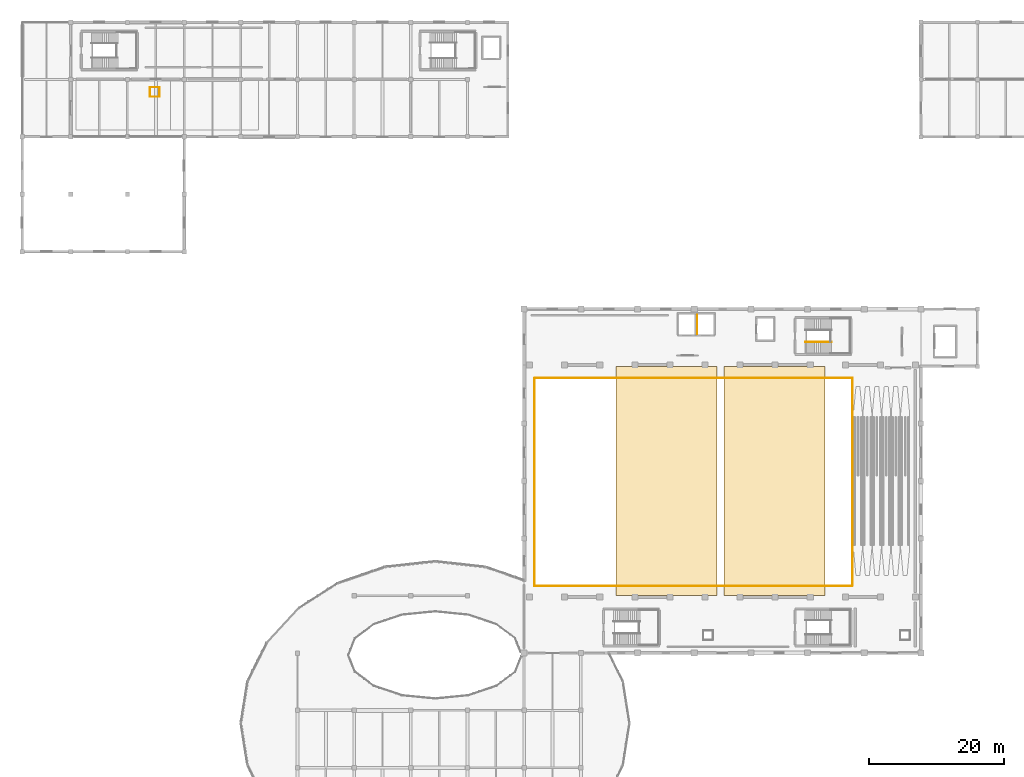
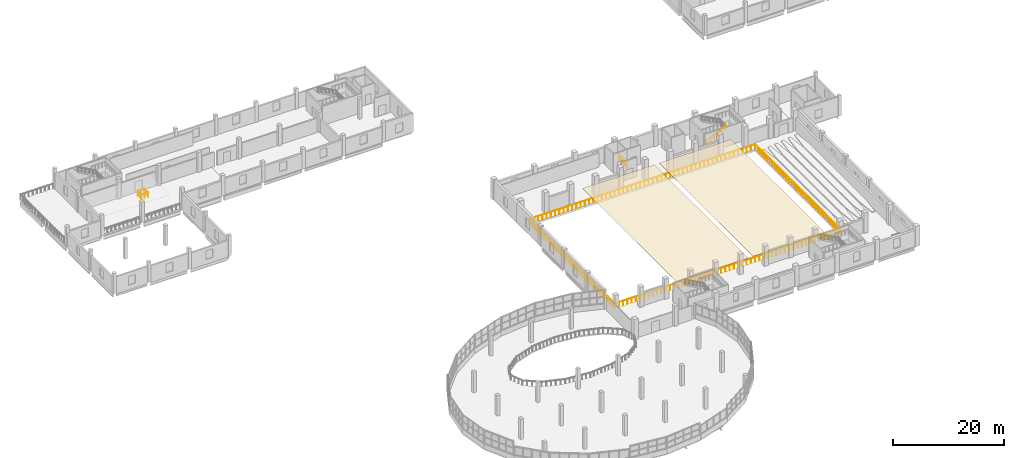
# One storey, part 47 of 50: 6 railings, 2 coverings.
"""IFC4 building model written with IfcOpenShell, lengths in metres."""

import ifcopenshell
import ifcopenshell.guid

model = None  # the IFC model being written
_history = None  # IfcOwnerHistory: only IFC2X3 demands one
_inside = {}  # id of a spatial element -> (the spatial element, [elements in it])
_under = {}  # id of a project, library or spatial element -> (it, [spatial elements below it])
_declared = {}  # id of a project -> (the project, [libraries it declares])
_typed = {}  # id of a type object -> (the type object, [elements of that type])
_made_of = {}  # id of a material, layer set ... -> (it, [elements and type objects made of it])


def new_model(schema):
    """Start an empty IFC model of exactly this schema.

    Asked for "IFC4X3", IfcOpenShell would pick the latest addendum, in which some entities
    have other attributes; the version numbers below select the first issue.
    IFC2X3 requires an IfcOwnerHistory on every rooted entity: one is made here for all.
    """
    global model, _history
    if schema == "IFC4X3":
        model = ifcopenshell.file(schema_version=(4, 3, 0, 0))
    else:
        model = ifcopenshell.file(schema=schema)
    _inside.clear()
    _under.clear()
    _declared.clear()
    _typed.clear()
    _made_of.clear()
    _history = None
    if model.schema == "IFC2X3":
        org = make("IfcOrganization", Name="unknown")
        user = make(
            "IfcPersonAndOrganization",
            ThePerson=make("IfcPerson", FamilyName="unknown"),
            TheOrganization=org,
        )
        app = make(
            "IfcApplication",
            ApplicationDeveloper=org,
            Version="unknown",
            ApplicationFullName="unknown",
            ApplicationIdentifier="unknown",
        )
        _history = make(
            "IfcOwnerHistory",
            OwningUser=user,
            OwningApplication=app,
            ChangeAction="ADDED",
            CreationDate=0,
        )
    return model


def make(cls, **values):
    """One entity of the class cls with the attributes given. An attribute that is None is left unset."""
    return model.create_entity(
        cls, **{name: value for name, value in values.items() if value is not None}
    )


def rooted(cls, **values):
    """An entity with a GlobalId (a new one), such as an element, a storey or a relation."""
    return make(cls, GlobalId=ifcopenshell.guid.new(), OwnerHistory=_history, **values)


def si_unit(unit_type, name, prefix=None):
    """IfcSIUnit, for example si_unit("LENGTHUNIT", "METRE", prefix="MILLI")."""
    return make("IfcSIUnit", UnitType=unit_type, Prefix=prefix, Name=name)


def assignment(units):
    """IfcUnitAssignment: the units of a project."""
    return None if units is None else make("IfcUnitAssignment", Units=units)


def point(xyz):
    """IfcCartesianPoint."""
    return None if xyz is None else make("IfcCartesianPoint", Coordinates=xyz)


def direction(xyz):
    """IfcDirection."""
    return None if xyz is None else make("IfcDirection", DirectionRatios=xyz)


def frame(location, z_axis=None, x_axis=None):
    """IfcAxis2Placement3D, a coordinate frame: its origin and axes. An axis left out is left unset."""
    return make(
        "IfcAxis2Placement3D",
        Location=point(location),
        Axis=direction(z_axis),
        RefDirection=direction(x_axis),
    )


def frame_2d(location, x_axis=None):
    """IfcAxis2Placement2D, a coordinate frame in the plane: its origin and x axis."""
    return make(
        "IfcAxis2Placement2D", Location=point(location), RefDirection=direction(x_axis)
    )


def origin():
    """The frame at (0, 0, 0) with its axes left unset."""
    return frame((0.0, 0.0, 0.0))


def origin_2d():
    """The frame at (0, 0) in the plane with its x axis left unset."""
    return frame_2d((0.0, 0.0))


def place(relative_to, where):
    """IfcLocalPlacement: puts the frame where relative to a parent placement (None: the world)."""
    return make(
        "IfcLocalPlacement", PlacementRelTo=relative_to, RelativePlacement=where
    )


def context(
    kind, dimensions, precision=None, world=None, true_north=None, identifier=None
):
    """IfcGeometricRepresentationContext, for example the 3D "Model" context."""
    return make(
        "IfcGeometricRepresentationContext",
        ContextIdentifier=identifier,
        ContextType=kind,
        CoordinateSpaceDimension=dimensions,
        Precision=precision,
        WorldCoordinateSystem=world,
        TrueNorth=true_north,
    )


def subcontext(parent, identifier, kind, view, scale=None):
    """IfcGeometricRepresentationSubContext, for example "Body" below "Model"."""
    return make(
        "IfcGeometricRepresentationSubContext",
        ContextIdentifier=identifier,
        ContextType=kind,
        ParentContext=parent,
        TargetScale=scale,
        TargetView=view,
    )


def project(units=None, contexts=None):
    """IfcProject with its units and contexts."""
    return rooted(
        "IfcProject",
        Name="project",
        RepresentationContexts=contexts,
        UnitsInContext=assignment(units),
    )


def spatial(cls, under=None, at=None, **own):
    """A site, building, storey or space (cls), placed at a placement, below another one or the project."""
    s = rooted(cls, ObjectPlacement=at, **own)
    if under is not None:
        _under.setdefault(under.id(), (under, []))[1].append(s)
    return s


def polyline(points):
    """IfcPolyline through the points."""
    return make("IfcPolyline", Points=[point(p) for p in points])


def profile(cls, at=None, kind="AREA", **sizes):
    """A parametric profile (cls). Its sizes go by their IFC names, for example OverallWidth=200.0."""
    return make(cls, ProfileType=kind, Position=at, **sizes)


def circle(**sizes):
    """IfcCircleProfileDef."""
    return profile("IfcCircleProfileDef", **sizes)


def outline(outer, holes=None, kind="AREA"):
    """IfcArbitraryClosedProfileDef: a profile drawn as a closed curve; with holes, ...WithVoids."""
    if holes is None:
        return make("IfcArbitraryClosedProfileDef", ProfileType=kind, OuterCurve=outer)
    return make(
        "IfcArbitraryProfileDefWithVoids",
        ProfileType=kind,
        OuterCurve=outer,
        InnerCurves=holes,
    )


def extrude(swept, where, along, depth):
    """IfcExtrudedAreaSolid: the profile swept, set in the frame where, extruded along a direction by depth."""
    return make(
        "IfcExtrudedAreaSolid",
        SweptArea=swept,
        Position=where,
        ExtrudedDirection=direction(along),
        Depth=depth,
    )


def shape(context_of_items, identifier, shape_type, items):
    """IfcShapeRepresentation: the items that make up one representation, for example the "Body"."""
    return make(
        "IfcShapeRepresentation",
        ContextOfItems=context_of_items,
        RepresentationIdentifier=identifier,
        RepresentationType=shape_type,
        Items=items,
    )


def material(Name=None, Category=None):
    """IfcMaterial."""
    return make("IfcMaterial", Name=Name, Category=Category)


def layer(
    of_material, thickness, ventilated=None, Name=None, Category=None, Priority=None
):
    """IfcMaterialLayer: one layer of a wall or slab, of a material (None: an air gap)."""
    return make(
        "IfcMaterialLayer",
        Material=of_material,
        LayerThickness=thickness,
        IsVentilated=ventilated,
        Name=Name,
        Category=Category,
        Priority=Priority,
    )


def layer_set(layers, Name=None):
    """IfcMaterialLayerSet."""
    return make("IfcMaterialLayerSet", MaterialLayers=layers, LayerSetName=Name)


def made_of(thing, what):
    """Note that an element or type object is made of a material, layer set ...; save() writes the relation."""
    if what is not None:
        _made_of.setdefault(what.id(), (what, []))[1].append(thing)
    return thing


def type_object(cls, material=None, **own):
    """A type object (cls), such as IfcWallType, which elements share."""
    return made_of(rooted(cls, **own), material)


def element(
    cls,
    number,
    at=None,
    inside=None,
    cuts=None,
    type_object=None,
    material=None,
    context=None,
    identifier="Body",
    shape_type=None,
    held_by="IfcProductDefinitionShape",
    body=None,
    shapes=None,
    **own,
):
    """One element of the class cls, such as IfcWall. Its Tag is "e" and its number.

    at: its placement. inside: the storey or other place that contains it. cuts: it is an
    opening in that element (IfcRelVoidsElement). A single representation is given by context,
    identifier, shape_type and body (its items); several are given by shapes. held_by: the class
    of the entity that holds the representations. save() writes the other relations.
    """
    e = rooted(cls, Tag="e%d" % number, ObjectPlacement=at, **own)
    if body is not None:
        shapes = [shape(context, identifier, shape_type, body)]
    if shapes is not None:
        e.Representation = make(held_by, Representations=shapes)
    if inside is not None:
        _inside.setdefault(inside.id(), (inside, []))[1].append(e)
    if cuts is not None:
        rooted(
            "IfcRelVoidsElement", RelatingBuildingElement=cuts, RelatedOpeningElement=e
        )
    if type_object is not None:
        _typed.setdefault(type_object.id(), (type_object, []))[1].append(e)
    return made_of(e, material)


def aggregate(whole, parts):
    """IfcRelAggregates: a whole, such as a stair, and the parts it consists of."""
    return rooted("IfcRelAggregates", RelatingObject=whole, RelatedObjects=parts)


def save(model, path):
    """Write the relations noted so far, then the file.

    IfcRelAggregates (storeys below a building ...), IfcRelContainedInSpatialStructure (elements
    in a storey), IfcRelDefinesByType, IfcRelAssociatesMaterial and IfcRelDeclares: one each for
    every whole, place, type object, material and project.
    """
    for whole, parts in _under.values():
        aggregate(whole, parts)
    for where, things in _inside.values():
        rooted(
            "IfcRelContainedInSpatialStructure",
            RelatedElements=things,
            RelatingStructure=where,
        )
    for kind, things in _typed.values():
        rooted("IfcRelDefinesByType", RelatedObjects=things, RelatingType=kind)
    for what, things in _made_of.values():
        rooted("IfcRelAssociatesMaterial", RelatedObjects=things, RelatingMaterial=what)
    for by, libraries in _declared.values():
        rooted("IfcRelDeclares", RelatingContext=by, RelatedDefinitions=libraries)
    model.write(path)


model = new_model("IFC4")

# Units and contexts
model_context = context("Model", 3, precision=1e-05, world=origin(), true_north=direction((0.0, 1.0)))
body_context = subcontext(model_context, "Body", "Model", "MODEL_VIEW")
ifc_project = project(units=[si_unit("LENGTHUNIT", "METRE"), si_unit("AREAUNIT", "SQUARE_METRE"), si_unit("VOLUMEUNIT", "CUBIC_METRE"), si_unit("PLANEANGLEUNIT", "RADIAN"), si_unit("MASSUNIT", "GRAM", prefix="KILO")], contexts=[model_context])

# Site, building, storey
site_placement = place(None, origin())
site = spatial("IfcSite", under=ifc_project, at=site_placement, CompositionType="ELEMENT")
building_placement = place(site_placement, origin())
building = spatial("IfcBuilding", under=site, at=building_placement, Name="Solvento Point Concert Hall", CompositionType="ELEMENT")
storey_placement = place(building_placement, frame((0.0, 0.0, 15.0)))
storey = spatial("IfcBuildingStorey", under=building, at=storey_placement, Name="L03", CompositionType="ELEMENT", Elevation=15.0)

# Coverings
ifc_material_1 = material(Name="Suspended Timber-Slat Acoustic Ceiling", Category="wood")
ifc_layer = layer(ifc_material_1, 0.050048828125)
ifc_layer_set = layer_set([ifc_layer], Name="Suspended Timber-Slat Acoustic Ceiling")
covering_type = type_object("IfcCoveringType", Name="AcousticCeiling_Timber", PredefinedType="CEILING", material=ifc_layer_set)
covering_1_placement = place(storey_placement, frame((0.0, 0.0, 2.5)))
element("IfcCovering", 1, at=covering_1_placement, inside=storey, type_object=covering_type, Name="Acoustic timber reflector ceiling CLG-V1-REF1", PredefinedType="CEILING", context=body_context, shape_type="SweptSolid", body=[
    extrude(outline(polyline([(88.0, 51.0), (103.0, 51.0), (103.0, 85.0), (88.0, 85.0), (88.0, 51.0)])), origin(), (0.0, 0.0, 1.0), 0.050048828125),
])
covering_2_placement = place(storey_placement, frame((0.0, 0.0, 2.5)))
element("IfcCovering", 2, at=covering_2_placement, inside=storey, type_object=covering_type, Name="Acoustic timber reflector ceiling CLG-V1-REF2", PredefinedType="CEILING", context=body_context, shape_type="SweptSolid", body=[
    extrude(outline(polyline([(104.0, 51.0), (119.0, 51.0), (119.0, 85.0), (104.0, 85.0), (104.0, 51.0)])), origin(), (0.0, 0.0, 1.0), 0.050048828125),
])

# Railings
ifc_material_2 = material(Name="Brushed Stainless Steel Balustrade", Category="steel")
railing_type_1 = type_object("IfcRailingType", Name="StairHandrail_915", PredefinedType="HANDRAIL", material=ifc_material_2)
railing_1_placement = place(storey_placement, frame((116.050048828125, 88.610107421875, 0.14990234375)))
element("IfcRailing", 3, at=railing_1_placement, inside=storey, type_object=railing_type_1, Name="Stair handrail HR-01 ST-03 L03 F1", PredefinedType="HANDRAIL", context=body_context, shape_type="SweptSolid", body=[
    extrude(circle(Radius=0.0224609375, at=origin_2d()), frame((0.0, 0.0, 0.892578125), z_axis=(0.881466911329, 0.0, 0.472245787945), x_axis=(0.0, 1.0, 0.0)), (0.0, 0.0, 1.0), 4.447021484375),
    extrude(circle(Radius=0.01904296875, at=origin_2d()), origin(), (0.0, 0.0, 1.0), 0.8701171875),
    extrude(circle(Radius=0.01904296875, at=origin_2d()), frame((0.783935546875, 0.0, 0.419921875)), (0.0, 0.0, 1.0), 0.8701171875),
    extrude(circle(Radius=0.01904296875, at=origin_2d()), frame((1.56787109375, 0.0, 0.840087890625)), (0.0, 0.0, 1.0), 0.8701171875),
    extrude(circle(Radius=0.01904296875, at=origin_2d()), frame((2.35205078125, 0.0, 1.260009765625)), (0.0, 0.0, 1.0), 0.8701171875),
    extrude(circle(Radius=0.01904296875, at=origin_2d()), frame((3.135986328125, 0.0, 1.68017578125)), (0.0, 0.0, 1.0), 0.8701171875),
    extrude(circle(Radius=0.01904296875, at=origin_2d()), frame((3.919921875, 0.0, 2.10009765625)), (0.0, 0.0, 1.0), 0.8701171875),
])
ifc_material_3 = material(Name="Brushed Stainless Steel Balustrade", Category="steel")
railing_type_2 = type_object("IfcRailingType", Name="TerraceBalustrade_1100", PredefinedType="BALUSTRADE", material=ifc_material_3)
railing_2_placement = place(storey_placement, frame((75.93994140625, 83.22998046875, 0.0)))
element("IfcRailing", 4, at=railing_2_placement, inside=storey, type_object=railing_type_2, Name="Guard balustrade GR-01 L03", PredefinedType="BALUSTRADE", context=body_context, shape_type="SweptSolid", body=[
    extrude(circle(Radius=0.02392578125, at=origin_2d()), frame((0.0, 0.0, 1.09619140625), z_axis=(0.0, -1.0, 0.0), x_axis=(1.0, 0.0, 0.0)), (0.0, 0.0, 1.0), 30.7900390625),
    extrude(circle(Radius=0.02392578125, at=origin_2d()), frame((0.0, -30.7900390625, 1.09619140625), z_axis=(1.0, 0.0, 0.0), x_axis=(0.0, 1.0, 0.0)), (0.0, 0.0, 1.0), 47.090087890625),
    extrude(circle(Radius=0.02099609375, at=origin_2d()), origin(), (0.0, 0.0, 1.0), 1.072021484375),
    extrude(circle(Radius=0.02099609375, at=origin_2d()), frame((0.0, -0.879638671875, 0.0)), (0.0, 0.0, 1.0), 1.072021484375),
    extrude(circle(Radius=0.02099609375, at=origin_2d()), frame((0.0, -1.759521484375, 0.0)), (0.0, 0.0, 1.0), 1.072021484375),
    extrude(circle(Radius=0.02099609375, at=origin_2d()), frame((0.0, -2.63916015625, 0.0)), (0.0, 0.0, 1.0), 1.072021484375),
    extrude(circle(Radius=0.02099609375, at=origin_2d()), frame((0.0, -3.518798828125, 0.0)), (0.0, 0.0, 1.0), 1.072021484375),
    extrude(circle(Radius=0.02099609375, at=origin_2d()), frame((0.0, -4.398681640625, 0.0)), (0.0, 0.0, 1.0), 1.072021484375),
    extrude(circle(Radius=0.02099609375, at=origin_2d()), frame((0.0, -5.2783203125, 0.0)), (0.0, 0.0, 1.0), 1.072021484375),
    extrude(circle(Radius=0.02099609375, at=origin_2d()), frame((0.0, -6.157958984375, 0.0)), (0.0, 0.0, 1.0), 1.072021484375),
    extrude(circle(Radius=0.02099609375, at=origin_2d()), frame((0.0, -7.037841796875, 0.0)), (0.0, 0.0, 1.0), 1.072021484375),
    extrude(circle(Radius=0.02099609375, at=origin_2d()), frame((0.0, -7.91748046875, 0.0)), (0.0, 0.0, 1.0), 1.072021484375),
    extrude(circle(Radius=0.02099609375, at=origin_2d()), frame((0.0, -8.797119140625, 0.0)), (0.0, 0.0, 1.0), 1.072021484375),
    extrude(circle(Radius=0.02099609375, at=origin_2d()), frame((0.0, -9.6767578125, 0.0)), (0.0, 0.0, 1.0), 1.072021484375),
    extrude(circle(Radius=0.02099609375, at=origin_2d()), frame((0.0, -10.556640625, 0.0)), (0.0, 0.0, 1.0), 1.072021484375),
    extrude(circle(Radius=0.02099609375, at=origin_2d()), frame((0.0, -11.436279296875, 0.0)), (0.0, 0.0, 1.0), 1.072021484375),
    extrude(circle(Radius=0.02099609375, at=origin_2d()), frame((0.0, -12.31591796875, 0.0)), (0.0, 0.0, 1.0), 1.072021484375),
    extrude(circle(Radius=0.02099609375, at=origin_2d()), frame((0.0, -13.19580078125, 0.0)), (0.0, 0.0, 1.0), 1.072021484375),
    extrude(circle(Radius=0.02099609375, at=origin_2d()), frame((0.0, -14.075439453125, 0.0)), (0.0, 0.0, 1.0), 1.072021484375),
    extrude(circle(Radius=0.02099609375, at=origin_2d()), frame((0.0, -14.955078125, 0.0)), (0.0, 0.0, 1.0), 1.072021484375),
    extrude(circle(Radius=0.02099609375, at=origin_2d()), frame((0.0, -15.8349609375, 0.0)), (0.0, 0.0, 1.0), 1.072021484375),
    extrude(circle(Radius=0.02099609375, at=origin_2d()), frame((0.0, -16.714599609375, 0.0)), (0.0, 0.0, 1.0), 1.072021484375),
    extrude(circle(Radius=0.02099609375, at=origin_2d()), frame((0.0, -17.59423828125, 0.0)), (0.0, 0.0, 1.0), 1.072021484375),
    extrude(circle(Radius=0.02099609375, at=origin_2d()), frame((0.0, -18.47412109375, 0.0)), (0.0, 0.0, 1.0), 1.072021484375),
    extrude(circle(Radius=0.02099609375, at=origin_2d()), frame((0.0, -19.353759765625, 0.0)), (0.0, 0.0, 1.0), 1.072021484375),
    extrude(circle(Radius=0.02099609375, at=origin_2d()), frame((0.0, -20.2333984375, 0.0)), (0.0, 0.0, 1.0), 1.072021484375),
    extrude(circle(Radius=0.02099609375, at=origin_2d()), frame((0.0, -21.11328125, 0.0)), (0.0, 0.0, 1.0), 1.072021484375),
    extrude(circle(Radius=0.02099609375, at=origin_2d()), frame((0.0, -21.992919921875, 0.0)), (0.0, 0.0, 1.0), 1.072021484375),
    extrude(circle(Radius=0.02099609375, at=origin_2d()), frame((0.0, -22.87255859375, 0.0)), (0.0, 0.0, 1.0), 1.072021484375),
    extrude(circle(Radius=0.02099609375, at=origin_2d()), frame((0.0, -23.752197265625, 0.0)), (0.0, 0.0, 1.0), 1.072021484375),
    extrude(circle(Radius=0.02099609375, at=origin_2d()), frame((0.0, -24.632080078125, 0.0)), (0.0, 0.0, 1.0), 1.072021484375),
    extrude(circle(Radius=0.02099609375, at=origin_2d()), frame((0.0, -25.51171875, 0.0)), (0.0, 0.0, 1.0), 1.072021484375),
    extrude(circle(Radius=0.02099609375, at=origin_2d()), frame((0.0, -26.391357421875, 0.0)), (0.0, 0.0, 1.0), 1.072021484375),
    extrude(circle(Radius=0.02099609375, at=origin_2d()), frame((0.0, -27.271240234375, 0.0)), (0.0, 0.0, 1.0), 1.072021484375),
    extrude(circle(Radius=0.02099609375, at=origin_2d()), frame((0.0, -28.15087890625, 0.0)), (0.0, 0.0, 1.0), 1.072021484375),
    extrude(circle(Radius=0.02099609375, at=origin_2d()), frame((0.0, -29.030517578125, 0.0)), (0.0, 0.0, 1.0), 1.072021484375),
    extrude(circle(Radius=0.02099609375, at=origin_2d()), frame((0.0, -29.910400390625, 0.0)), (0.0, 0.0, 1.0), 1.072021484375),
    extrude(circle(Radius=0.02099609375, at=origin_2d()), frame((0.0, -30.7900390625, 0.0)), (0.0, 0.0, 1.0), 1.072021484375),
    extrude(circle(Radius=0.02099609375, at=origin_2d()), frame((0.888427734375, -30.7900390625, 0.0)), (0.0, 0.0, 1.0), 1.072021484375),
    extrude(circle(Radius=0.02099609375, at=origin_2d()), frame((1.777099609375, -30.7900390625, 0.0)), (0.0, 0.0, 1.0), 1.072021484375),
    extrude(circle(Radius=0.02099609375, at=origin_2d()), frame((2.66552734375, -30.7900390625, 0.0)), (0.0, 0.0, 1.0), 1.072021484375),
    extrude(circle(Radius=0.02099609375, at=origin_2d()), frame((3.553955078125, -30.7900390625, 0.0)), (0.0, 0.0, 1.0), 1.072021484375),
    extrude(circle(Radius=0.02099609375, at=origin_2d()), frame((4.4423828125, -30.7900390625, 0.0)), (0.0, 0.0, 1.0), 1.072021484375),
    extrude(circle(Radius=0.02099609375, at=origin_2d()), frame((5.3310546875, -30.7900390625, 0.0)), (0.0, 0.0, 1.0), 1.072021484375),
    extrude(circle(Radius=0.02099609375, at=origin_2d()), frame((6.219482421875, -30.7900390625, 0.0)), (0.0, 0.0, 1.0), 1.072021484375),
    extrude(circle(Radius=0.02099609375, at=origin_2d()), frame((7.10791015625, -30.7900390625, 0.0)), (0.0, 0.0, 1.0), 1.072021484375),
    extrude(circle(Radius=0.02099609375, at=origin_2d()), frame((7.996337890625, -30.7900390625, 0.0)), (0.0, 0.0, 1.0), 1.072021484375),
    extrude(circle(Radius=0.02099609375, at=origin_2d()), frame((8.885009765625, -30.7900390625, 0.0)), (0.0, 0.0, 1.0), 1.072021484375),
    extrude(circle(Radius=0.02099609375, at=origin_2d()), frame((9.7734375, -30.7900390625, 0.0)), (0.0, 0.0, 1.0), 1.072021484375),
    extrude(circle(Radius=0.02099609375, at=origin_2d()), frame((10.661865234375, -30.7900390625, 0.0)), (0.0, 0.0, 1.0), 1.072021484375),
    extrude(circle(Radius=0.02099609375, at=origin_2d()), frame((11.55029296875, -30.7900390625, 0.0)), (0.0, 0.0, 1.0), 1.072021484375),
    extrude(circle(Radius=0.02099609375, at=origin_2d()), frame((12.43896484375, -30.7900390625, 0.0)), (0.0, 0.0, 1.0), 1.072021484375),
    extrude(circle(Radius=0.02099609375, at=origin_2d()), frame((13.327392578125, -30.7900390625, 0.0)), (0.0, 0.0, 1.0), 1.072021484375),
    extrude(circle(Radius=0.02099609375, at=origin_2d()), frame((14.2158203125, -30.7900390625, 0.0)), (0.0, 0.0, 1.0), 1.072021484375),
    extrude(circle(Radius=0.02099609375, at=origin_2d()), frame((15.104248046875, -30.7900390625, 0.0)), (0.0, 0.0, 1.0), 1.072021484375),
    extrude(circle(Radius=0.02099609375, at=origin_2d()), frame((15.992919921875, -30.7900390625, 0.0)), (0.0, 0.0, 1.0), 1.072021484375),
    extrude(circle(Radius=0.02099609375, at=origin_2d()), frame((16.88134765625, -30.7900390625, 0.0)), (0.0, 0.0, 1.0), 1.072021484375),
    extrude(circle(Radius=0.02099609375, at=origin_2d()), frame((17.769775390625, -30.7900390625, 0.0)), (0.0, 0.0, 1.0), 1.072021484375),
    extrude(circle(Radius=0.02099609375, at=origin_2d()), frame((18.658447265625, -30.7900390625, 0.0)), (0.0, 0.0, 1.0), 1.072021484375),
    extrude(circle(Radius=0.02099609375, at=origin_2d()), frame((19.546875, -30.7900390625, 0.0)), (0.0, 0.0, 1.0), 1.072021484375),
    extrude(circle(Radius=0.02099609375, at=origin_2d()), frame((20.435302734375, -30.7900390625, 0.0)), (0.0, 0.0, 1.0), 1.072021484375),
    extrude(circle(Radius=0.02099609375, at=origin_2d()), frame((21.32373046875, -30.7900390625, 0.0)), (0.0, 0.0, 1.0), 1.072021484375),
    extrude(circle(Radius=0.02099609375, at=origin_2d()), frame((22.21240234375, -30.7900390625, 0.0)), (0.0, 0.0, 1.0), 1.072021484375),
    extrude(circle(Radius=0.02099609375, at=origin_2d()), frame((23.100830078125, -30.7900390625, 0.0)), (0.0, 0.0, 1.0), 1.072021484375),
    extrude(circle(Radius=0.02099609375, at=origin_2d()), frame((23.9892578125, -30.7900390625, 0.0)), (0.0, 0.0, 1.0), 1.072021484375),
    extrude(circle(Radius=0.02099609375, at=origin_2d()), frame((24.877685546875, -30.7900390625, 0.0)), (0.0, 0.0, 1.0), 1.072021484375),
    extrude(circle(Radius=0.02099609375, at=origin_2d()), frame((25.766357421875, -30.7900390625, 0.0)), (0.0, 0.0, 1.0), 1.072021484375),
    extrude(circle(Radius=0.02099609375, at=origin_2d()), frame((26.65478515625, -30.7900390625, 0.0)), (0.0, 0.0, 1.0), 1.072021484375),
    extrude(circle(Radius=0.02099609375, at=origin_2d()), frame((27.543212890625, -30.7900390625, 0.0)), (0.0, 0.0, 1.0), 1.072021484375),
    extrude(circle(Radius=0.02099609375, at=origin_2d()), frame((28.431640625, -30.7900390625, 0.0)), (0.0, 0.0, 1.0), 1.072021484375),
    extrude(circle(Radius=0.02099609375, at=origin_2d()), frame((29.3203125, -30.7900390625, 0.0)), (0.0, 0.0, 1.0), 1.072021484375),
    extrude(circle(Radius=0.02099609375, at=origin_2d()), frame((30.208740234375, -30.7900390625, 0.0)), (0.0, 0.0, 1.0), 1.072021484375),
    extrude(circle(Radius=0.02099609375, at=origin_2d()), frame((31.09716796875, -30.7900390625, 0.0)), (0.0, 0.0, 1.0), 1.072021484375),
    extrude(circle(Radius=0.02099609375, at=origin_2d()), frame((31.98583984375, -30.7900390625, 0.0)), (0.0, 0.0, 1.0), 1.072021484375),
    extrude(circle(Radius=0.02099609375, at=origin_2d()), frame((32.874267578125, -30.7900390625, 0.0)), (0.0, 0.0, 1.0), 1.072021484375),
    extrude(circle(Radius=0.02099609375, at=origin_2d()), frame((33.7626953125, -30.7900390625, 0.0)), (0.0, 0.0, 1.0), 1.072021484375),
    extrude(circle(Radius=0.02099609375, at=origin_2d()), frame((34.651123046875, -30.7900390625, 0.0)), (0.0, 0.0, 1.0), 1.072021484375),
    extrude(circle(Radius=0.02099609375, at=origin_2d()), frame((35.539794921875, -30.7900390625, 0.0)), (0.0, 0.0, 1.0), 1.072021484375),
    extrude(circle(Radius=0.02099609375, at=origin_2d()), frame((36.42822265625, -30.7900390625, 0.0)), (0.0, 0.0, 1.0), 1.072021484375),
    extrude(circle(Radius=0.02099609375, at=origin_2d()), frame((37.316650390625, -30.7900390625, 0.0)), (0.0, 0.0, 1.0), 1.072021484375),
    extrude(circle(Radius=0.02099609375, at=origin_2d()), frame((38.205078125, -30.7900390625, 0.0)), (0.0, 0.0, 1.0), 1.072021484375),
    extrude(circle(Radius=0.02099609375, at=origin_2d()), frame((39.09375, -30.7900390625, 0.0)), (0.0, 0.0, 1.0), 1.072021484375),
    extrude(circle(Radius=0.02099609375, at=origin_2d()), frame((39.982177734375, -30.7900390625, 0.0)), (0.0, 0.0, 1.0), 1.072021484375),
    extrude(circle(Radius=0.02099609375, at=origin_2d()), frame((40.87060546875, -30.7900390625, 0.0)), (0.0, 0.0, 1.0), 1.072021484375),
    extrude(circle(Radius=0.02099609375, at=origin_2d()), frame((41.759033203125, -30.7900390625, 0.0)), (0.0, 0.0, 1.0), 1.072021484375),
    extrude(circle(Radius=0.02099609375, at=origin_2d()), frame((42.647705078125, -30.7900390625, 0.0)), (0.0, 0.0, 1.0), 1.072021484375),
    extrude(circle(Radius=0.02099609375, at=origin_2d()), frame((43.5361328125, -30.7900390625, 0.0)), (0.0, 0.0, 1.0), 1.072021484375),
    extrude(circle(Radius=0.02099609375, at=origin_2d()), frame((44.424560546875, -30.7900390625, 0.0)), (0.0, 0.0, 1.0), 1.072021484375),
    extrude(circle(Radius=0.02099609375, at=origin_2d()), frame((45.31298828125, -30.7900390625, 0.0)), (0.0, 0.0, 1.0), 1.072021484375),
    extrude(circle(Radius=0.02099609375, at=origin_2d()), frame((46.20166015625, -30.7900390625, 0.0)), (0.0, 0.0, 1.0), 1.072021484375),
    extrude(circle(Radius=0.02099609375, at=origin_2d()), frame((47.090087890625, -30.7900390625, 0.0)), (0.0, 0.0, 1.0), 1.072021484375),
])
railing_3_placement = place(storey_placement, frame((123.06005859375, 52.469970703125, 0.0)))
element("IfcRailing", 5, at=railing_3_placement, inside=storey, type_object=railing_type_2, Name="Guard balustrade GR-01 L03", PredefinedType="BALUSTRADE", context=body_context, shape_type="SweptSolid", body=[
    extrude(circle(Radius=0.02392578125, at=origin_2d()), frame((0.0, 0.0, 1.09619140625), z_axis=(0.0, 1.0, 0.0), x_axis=(-1.0, 0.0, 0.0)), (0.0, 0.0, 1.0), 30.7900390625),
    extrude(circle(Radius=0.02392578125, at=origin_2d()), frame((0.0, 30.7900390625, 1.09619140625), z_axis=(-1.0, 0.0, 0.0), x_axis=(0.0, -1.0, 0.0)), (0.0, 0.0, 1.0), 47.090087890625),
    extrude(circle(Radius=0.02099609375, at=origin_2d()), origin(), (0.0, 0.0, 1.0), 1.072021484375),
    extrude(circle(Radius=0.02099609375, at=origin_2d()), frame((0.0, 0.879638671875, 0.0)), (0.0, 0.0, 1.0), 1.072021484375),
    extrude(circle(Radius=0.02099609375, at=origin_2d()), frame((0.0, 1.759521484375, 0.0)), (0.0, 0.0, 1.0), 1.072021484375),
    extrude(circle(Radius=0.02099609375, at=origin_2d()), frame((0.0, 2.63916015625, 0.0)), (0.0, 0.0, 1.0), 1.072021484375),
    extrude(circle(Radius=0.02099609375, at=origin_2d()), frame((0.0, 3.518798828125, 0.0)), (0.0, 0.0, 1.0), 1.072021484375),
    extrude(circle(Radius=0.02099609375, at=origin_2d()), frame((0.0, 4.398681640625, 0.0)), (0.0, 0.0, 1.0), 1.072021484375),
    extrude(circle(Radius=0.02099609375, at=origin_2d()), frame((0.0, 5.2783203125, 0.0)), (0.0, 0.0, 1.0), 1.072021484375),
    extrude(circle(Radius=0.02099609375, at=origin_2d()), frame((0.0, 6.157958984375, 0.0)), (0.0, 0.0, 1.0), 1.072021484375),
    extrude(circle(Radius=0.02099609375, at=origin_2d()), frame((0.0, 7.037841796875, 0.0)), (0.0, 0.0, 1.0), 1.072021484375),
    extrude(circle(Radius=0.02099609375, at=origin_2d()), frame((0.0, 7.91748046875, 0.0)), (0.0, 0.0, 1.0), 1.072021484375),
    extrude(circle(Radius=0.02099609375, at=origin_2d()), frame((0.0, 8.797119140625, 0.0)), (0.0, 0.0, 1.0), 1.072021484375),
    extrude(circle(Radius=0.02099609375, at=origin_2d()), frame((0.0, 9.6767578125, 0.0)), (0.0, 0.0, 1.0), 1.072021484375),
    extrude(circle(Radius=0.02099609375, at=origin_2d()), frame((0.0, 10.556640625, 0.0)), (0.0, 0.0, 1.0), 1.072021484375),
    extrude(circle(Radius=0.02099609375, at=origin_2d()), frame((0.0, 11.436279296875, 0.0)), (0.0, 0.0, 1.0), 1.072021484375),
    extrude(circle(Radius=0.02099609375, at=origin_2d()), frame((0.0, 12.31591796875, 0.0)), (0.0, 0.0, 1.0), 1.072021484375),
    extrude(circle(Radius=0.02099609375, at=origin_2d()), frame((0.0, 13.19580078125, 0.0)), (0.0, 0.0, 1.0), 1.072021484375),
    extrude(circle(Radius=0.02099609375, at=origin_2d()), frame((0.0, 14.075439453125, 0.0)), (0.0, 0.0, 1.0), 1.072021484375),
    extrude(circle(Radius=0.02099609375, at=origin_2d()), frame((0.0, 14.955078125, 0.0)), (0.0, 0.0, 1.0), 1.072021484375),
    extrude(circle(Radius=0.02099609375, at=origin_2d()), frame((0.0, 15.8349609375, 0.0)), (0.0, 0.0, 1.0), 1.072021484375),
    extrude(circle(Radius=0.02099609375, at=origin_2d()), frame((0.0, 16.714599609375, 0.0)), (0.0, 0.0, 1.0), 1.072021484375),
    extrude(circle(Radius=0.02099609375, at=origin_2d()), frame((0.0, 17.59423828125, 0.0)), (0.0, 0.0, 1.0), 1.072021484375),
    extrude(circle(Radius=0.02099609375, at=origin_2d()), frame((0.0, 18.47412109375, 0.0)), (0.0, 0.0, 1.0), 1.072021484375),
    extrude(circle(Radius=0.02099609375, at=origin_2d()), frame((0.0, 19.353759765625, 0.0)), (0.0, 0.0, 1.0), 1.072021484375),
    extrude(circle(Radius=0.02099609375, at=origin_2d()), frame((0.0, 20.2333984375, 0.0)), (0.0, 0.0, 1.0), 1.072021484375),
    extrude(circle(Radius=0.02099609375, at=origin_2d()), frame((0.0, 21.11328125, 0.0)), (0.0, 0.0, 1.0), 1.072021484375),
    extrude(circle(Radius=0.02099609375, at=origin_2d()), frame((0.0, 21.992919921875, 0.0)), (0.0, 0.0, 1.0), 1.072021484375),
    extrude(circle(Radius=0.02099609375, at=origin_2d()), frame((0.0, 22.87255859375, 0.0)), (0.0, 0.0, 1.0), 1.072021484375),
    extrude(circle(Radius=0.02099609375, at=origin_2d()), frame((0.0, 23.752197265625, 0.0)), (0.0, 0.0, 1.0), 1.072021484375),
    extrude(circle(Radius=0.02099609375, at=origin_2d()), frame((0.0, 24.632080078125, 0.0)), (0.0, 0.0, 1.0), 1.072021484375),
    extrude(circle(Radius=0.02099609375, at=origin_2d()), frame((0.0, 25.51171875, 0.0)), (0.0, 0.0, 1.0), 1.072021484375),
    extrude(circle(Radius=0.02099609375, at=origin_2d()), frame((0.0, 26.391357421875, 0.0)), (0.0, 0.0, 1.0), 1.072021484375),
    extrude(circle(Radius=0.02099609375, at=origin_2d()), frame((0.0, 27.271240234375, 0.0)), (0.0, 0.0, 1.0), 1.072021484375),
    extrude(circle(Radius=0.02099609375, at=origin_2d()), frame((0.0, 28.15087890625, 0.0)), (0.0, 0.0, 1.0), 1.072021484375),
    extrude(circle(Radius=0.02099609375, at=origin_2d()), frame((0.0, 29.030517578125, 0.0)), (0.0, 0.0, 1.0), 1.072021484375),
    extrude(circle(Radius=0.02099609375, at=origin_2d()), frame((0.0, 29.910400390625, 0.0)), (0.0, 0.0, 1.0), 1.072021484375),
    extrude(circle(Radius=0.02099609375, at=origin_2d()), frame((0.0, 30.7900390625, 0.0)), (0.0, 0.0, 1.0), 1.072021484375),
    extrude(circle(Radius=0.02099609375, at=origin_2d()), frame((-0.888427734375, 30.7900390625, 0.0)), (0.0, 0.0, 1.0), 1.072021484375),
    extrude(circle(Radius=0.02099609375, at=origin_2d()), frame((-1.777099609375, 30.7900390625, 0.0)), (0.0, 0.0, 1.0), 1.072021484375),
    extrude(circle(Radius=0.02099609375, at=origin_2d()), frame((-2.66552734375, 30.7900390625, 0.0)), (0.0, 0.0, 1.0), 1.072021484375),
    extrude(circle(Radius=0.02099609375, at=origin_2d()), frame((-3.553955078125, 30.7900390625, 0.0)), (0.0, 0.0, 1.0), 1.072021484375),
    extrude(circle(Radius=0.02099609375, at=origin_2d()), frame((-4.4423828125, 30.7900390625, 0.0)), (0.0, 0.0, 1.0), 1.072021484375),
    extrude(circle(Radius=0.02099609375, at=origin_2d()), frame((-5.3310546875, 30.7900390625, 0.0)), (0.0, 0.0, 1.0), 1.072021484375),
    extrude(circle(Radius=0.02099609375, at=origin_2d()), frame((-6.219482421875, 30.7900390625, 0.0)), (0.0, 0.0, 1.0), 1.072021484375),
    extrude(circle(Radius=0.02099609375, at=origin_2d()), frame((-7.10791015625, 30.7900390625, 0.0)), (0.0, 0.0, 1.0), 1.072021484375),
    extrude(circle(Radius=0.02099609375, at=origin_2d()), frame((-7.996337890625, 30.7900390625, 0.0)), (0.0, 0.0, 1.0), 1.072021484375),
    extrude(circle(Radius=0.02099609375, at=origin_2d()), frame((-8.885009765625, 30.7900390625, 0.0)), (0.0, 0.0, 1.0), 1.072021484375),
    extrude(circle(Radius=0.02099609375, at=origin_2d()), frame((-9.7734375, 30.7900390625, 0.0)), (0.0, 0.0, 1.0), 1.072021484375),
    extrude(circle(Radius=0.02099609375, at=origin_2d()), frame((-10.661865234375, 30.7900390625, 0.0)), (0.0, 0.0, 1.0), 1.072021484375),
    extrude(circle(Radius=0.02099609375, at=origin_2d()), frame((-11.55029296875, 30.7900390625, 0.0)), (0.0, 0.0, 1.0), 1.072021484375),
    extrude(circle(Radius=0.02099609375, at=origin_2d()), frame((-12.43896484375, 30.7900390625, 0.0)), (0.0, 0.0, 1.0), 1.072021484375),
    extrude(circle(Radius=0.02099609375, at=origin_2d()), frame((-13.327392578125, 30.7900390625, 0.0)), (0.0, 0.0, 1.0), 1.072021484375),
    extrude(circle(Radius=0.02099609375, at=origin_2d()), frame((-14.2158203125, 30.7900390625, 0.0)), (0.0, 0.0, 1.0), 1.072021484375),
    extrude(circle(Radius=0.02099609375, at=origin_2d()), frame((-15.104248046875, 30.7900390625, 0.0)), (0.0, 0.0, 1.0), 1.072021484375),
    extrude(circle(Radius=0.02099609375, at=origin_2d()), frame((-15.992919921875, 30.7900390625, 0.0)), (0.0, 0.0, 1.0), 1.072021484375),
    extrude(circle(Radius=0.02099609375, at=origin_2d()), frame((-16.88134765625, 30.7900390625, 0.0)), (0.0, 0.0, 1.0), 1.072021484375),
    extrude(circle(Radius=0.02099609375, at=origin_2d()), frame((-17.769775390625, 30.7900390625, 0.0)), (0.0, 0.0, 1.0), 1.072021484375),
    extrude(circle(Radius=0.02099609375, at=origin_2d()), frame((-18.658447265625, 30.7900390625, 0.0)), (0.0, 0.0, 1.0), 1.072021484375),
    extrude(circle(Radius=0.02099609375, at=origin_2d()), frame((-19.546875, 30.7900390625, 0.0)), (0.0, 0.0, 1.0), 1.072021484375),
    extrude(circle(Radius=0.02099609375, at=origin_2d()), frame((-20.435302734375, 30.7900390625, 0.0)), (0.0, 0.0, 1.0), 1.072021484375),
    extrude(circle(Radius=0.02099609375, at=origin_2d()), frame((-21.32373046875, 30.7900390625, 0.0)), (0.0, 0.0, 1.0), 1.072021484375),
    extrude(circle(Radius=0.02099609375, at=origin_2d()), frame((-22.21240234375, 30.7900390625, 0.0)), (0.0, 0.0, 1.0), 1.072021484375),
    extrude(circle(Radius=0.02099609375, at=origin_2d()), frame((-23.100830078125, 30.7900390625, 0.0)), (0.0, 0.0, 1.0), 1.072021484375),
    extrude(circle(Radius=0.02099609375, at=origin_2d()), frame((-23.9892578125, 30.7900390625, 0.0)), (0.0, 0.0, 1.0), 1.072021484375),
    extrude(circle(Radius=0.02099609375, at=origin_2d()), frame((-24.877685546875, 30.7900390625, 0.0)), (0.0, 0.0, 1.0), 1.072021484375),
    extrude(circle(Radius=0.02099609375, at=origin_2d()), frame((-25.766357421875, 30.7900390625, 0.0)), (0.0, 0.0, 1.0), 1.072021484375),
    extrude(circle(Radius=0.02099609375, at=origin_2d()), frame((-26.65478515625, 30.7900390625, 0.0)), (0.0, 0.0, 1.0), 1.072021484375),
    extrude(circle(Radius=0.02099609375, at=origin_2d()), frame((-27.543212890625, 30.7900390625, 0.0)), (0.0, 0.0, 1.0), 1.072021484375),
    extrude(circle(Radius=0.02099609375, at=origin_2d()), frame((-28.431640625, 30.7900390625, 0.0)), (0.0, 0.0, 1.0), 1.072021484375),
    extrude(circle(Radius=0.02099609375, at=origin_2d()), frame((-29.3203125, 30.7900390625, 0.0)), (0.0, 0.0, 1.0), 1.072021484375),
    extrude(circle(Radius=0.02099609375, at=origin_2d()), frame((-30.208740234375, 30.7900390625, 0.0)), (0.0, 0.0, 1.0), 1.072021484375),
    extrude(circle(Radius=0.02099609375, at=origin_2d()), frame((-31.09716796875, 30.7900390625, 0.0)), (0.0, 0.0, 1.0), 1.072021484375),
    extrude(circle(Radius=0.02099609375, at=origin_2d()), frame((-31.98583984375, 30.7900390625, 0.0)), (0.0, 0.0, 1.0), 1.072021484375),
    extrude(circle(Radius=0.02099609375, at=origin_2d()), frame((-32.874267578125, 30.7900390625, 0.0)), (0.0, 0.0, 1.0), 1.072021484375),
    extrude(circle(Radius=0.02099609375, at=origin_2d()), frame((-33.7626953125, 30.7900390625, 0.0)), (0.0, 0.0, 1.0), 1.072021484375),
    extrude(circle(Radius=0.02099609375, at=origin_2d()), frame((-34.651123046875, 30.7900390625, 0.0)), (0.0, 0.0, 1.0), 1.072021484375),
    extrude(circle(Radius=0.02099609375, at=origin_2d()), frame((-35.539794921875, 30.7900390625, 0.0)), (0.0, 0.0, 1.0), 1.072021484375),
    extrude(circle(Radius=0.02099609375, at=origin_2d()), frame((-36.42822265625, 30.7900390625, 0.0)), (0.0, 0.0, 1.0), 1.072021484375),
    extrude(circle(Radius=0.02099609375, at=origin_2d()), frame((-37.316650390625, 30.7900390625, 0.0)), (0.0, 0.0, 1.0), 1.072021484375),
    extrude(circle(Radius=0.02099609375, at=origin_2d()), frame((-38.205078125, 30.7900390625, 0.0)), (0.0, 0.0, 1.0), 1.072021484375),
    extrude(circle(Radius=0.02099609375, at=origin_2d()), frame((-39.09375, 30.7900390625, 0.0)), (0.0, 0.0, 1.0), 1.072021484375),
    extrude(circle(Radius=0.02099609375, at=origin_2d()), frame((-39.982177734375, 30.7900390625, 0.0)), (0.0, 0.0, 1.0), 1.072021484375),
    extrude(circle(Radius=0.02099609375, at=origin_2d()), frame((-40.87060546875, 30.7900390625, 0.0)), (0.0, 0.0, 1.0), 1.072021484375),
    extrude(circle(Radius=0.02099609375, at=origin_2d()), frame((-41.759033203125, 30.7900390625, 0.0)), (0.0, 0.0, 1.0), 1.072021484375),
    extrude(circle(Radius=0.02099609375, at=origin_2d()), frame((-42.647705078125, 30.7900390625, 0.0)), (0.0, 0.0, 1.0), 1.072021484375),
    extrude(circle(Radius=0.02099609375, at=origin_2d()), frame((-43.5361328125, 30.7900390625, 0.0)), (0.0, 0.0, 1.0), 1.072021484375),
    extrude(circle(Radius=0.02099609375, at=origin_2d()), frame((-44.424560546875, 30.7900390625, 0.0)), (0.0, 0.0, 1.0), 1.072021484375),
    extrude(circle(Radius=0.02099609375, at=origin_2d()), frame((-45.31298828125, 30.7900390625, 0.0)), (0.0, 0.0, 1.0), 1.072021484375),
    extrude(circle(Radius=0.02099609375, at=origin_2d()), frame((-46.20166015625, 30.7900390625, 0.0)), (0.0, 0.0, 1.0), 1.072021484375),
    extrude(circle(Radius=0.02099609375, at=origin_2d()), frame((-47.090087890625, 30.7900390625, 0.0)), (0.0, 0.0, 1.0), 1.072021484375),
])
railing_4_placement = place(storey_placement, frame((100.06005859375, 92.610107421875, 0.0)))
element("IfcRailing", 6, at=railing_4_placement, inside=storey, type_object=railing_type_2, Name="Guard balustrade GR-01 L03", PredefinedType="BALUSTRADE", context=body_context, shape_type="SweptSolid", body=[
    extrude(circle(Radius=0.02392578125, at=origin_2d()), frame((0.0, 0.0, 1.09619140625), z_axis=(0.0, -1.0, 0.0), x_axis=(1.0, 0.0, 0.0)), (0.0, 0.0, 1.0), 2.820068359375),
    extrude(circle(Radius=0.02099609375, at=origin_2d()), origin(), (0.0, 0.0, 1.0), 1.072021484375),
    extrude(circle(Radius=0.02099609375, at=origin_2d()), frame((0.0, -0.705078125, 0.0)), (0.0, 0.0, 1.0), 1.072021484375),
    extrude(circle(Radius=0.02099609375, at=origin_2d()), frame((0.0, -1.41015625, 0.0)), (0.0, 0.0, 1.0), 1.072021484375),
    extrude(circle(Radius=0.02099609375, at=origin_2d()), frame((0.0, -2.114990234375, 0.0)), (0.0, 0.0, 1.0), 1.072021484375),
    extrude(circle(Radius=0.02099609375, at=origin_2d()), frame((0.0, -2.820068359375, 0.0)), (0.0, 0.0, 1.0), 1.072021484375),
])
railing_5_placement = place(storey_placement, frame((20.360107421875, 124.969970703125, 0.0)))
element("IfcRailing", 7, at=railing_5_placement, inside=storey, type_object=railing_type_2, Name="Guard balustrade GR-01 L03", PredefinedType="BALUSTRADE", context=body_context, shape_type="SweptSolid", body=[
    extrude(circle(Radius=0.02392578125, at=origin_2d()), frame((0.0, 0.0, 1.09619140625), z_axis=(0.0, 1.0, 0.0), x_axis=(-1.0, 0.0, 0.0)), (0.0, 0.0, 1.0), 1.39013671875),
    extrude(circle(Radius=0.02392578125, at=origin_2d()), frame((0.0, 1.39013671875, 1.09619140625), z_axis=(-1.0, 0.0, 0.0), x_axis=(0.0, -1.0, 0.0)), (0.0, 0.0, 1.0), 1.39013671875),
    extrude(circle(Radius=0.02099609375, at=origin_2d()), origin(), (0.0, 0.0, 1.0), 1.072021484375),
    extrude(circle(Radius=0.02099609375, at=origin_2d()), frame((0.0, 0.695068359375, 0.0)), (0.0, 0.0, 1.0), 1.072021484375),
    extrude(circle(Radius=0.02099609375, at=origin_2d()), frame((0.0, 1.39013671875, 0.0)), (0.0, 0.0, 1.0), 1.072021484375),
    extrude(circle(Radius=0.02099609375, at=origin_2d()), frame((-0.695068359375, 1.39013671875, 0.0)), (0.0, 0.0, 1.0), 1.072021484375),
    extrude(circle(Radius=0.02099609375, at=origin_2d()), frame((-1.39013671875, 1.39013671875, 0.0)), (0.0, 0.0, 1.0), 1.072021484375),
])
railing_6_placement = place(storey_placement, frame((18.93994140625, 126.330078125, 0.0)))
element("IfcRailing", 8, at=railing_6_placement, inside=storey, type_object=railing_type_2, Name="Guard balustrade GR-01 L03", PredefinedType="BALUSTRADE", context=body_context, shape_type="SweptSolid", body=[
    extrude(circle(Radius=0.02392578125, at=origin_2d()), frame((0.0, 0.0, 1.09619140625), z_axis=(0.0, -1.0, 0.0), x_axis=(1.0, 0.0, 0.0)), (0.0, 0.0, 1.0), 1.39013671875),
    extrude(circle(Radius=0.02392578125, at=origin_2d()), frame((0.0, -1.39013671875, 1.09619140625), z_axis=(1.0, 0.0, 0.0), x_axis=(0.0, 1.0, 0.0)), (0.0, 0.0, 1.0), 1.39013671875),
    extrude(circle(Radius=0.02099609375, at=origin_2d()), origin(), (0.0, 0.0, 1.0), 1.072021484375),
    extrude(circle(Radius=0.02099609375, at=origin_2d()), frame((0.0, -0.695068359375, 0.0)), (0.0, 0.0, 1.0), 1.072021484375),
    extrude(circle(Radius=0.02099609375, at=origin_2d()), frame((0.0, -1.39013671875, 0.0)), (0.0, 0.0, 1.0), 1.072021484375),
    extrude(circle(Radius=0.02099609375, at=origin_2d()), frame((0.695068359375, -1.39013671875, 0.0)), (0.0, 0.0, 1.0), 1.072021484375),
    extrude(circle(Radius=0.02099609375, at=origin_2d()), frame((1.39013671875, -1.39013671875, 0.0)), (0.0, 0.0, 1.0), 1.072021484375),
])

save(model, "model.ifc")
